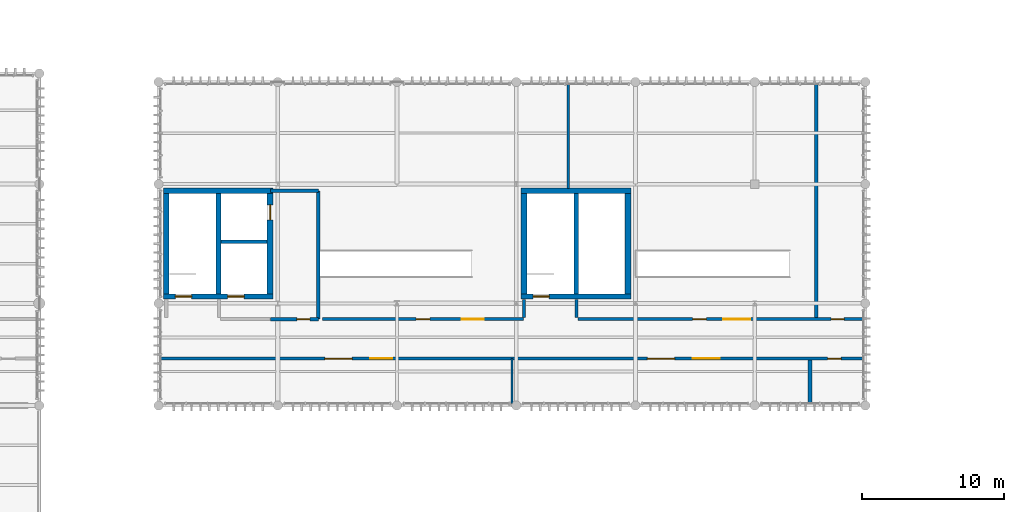
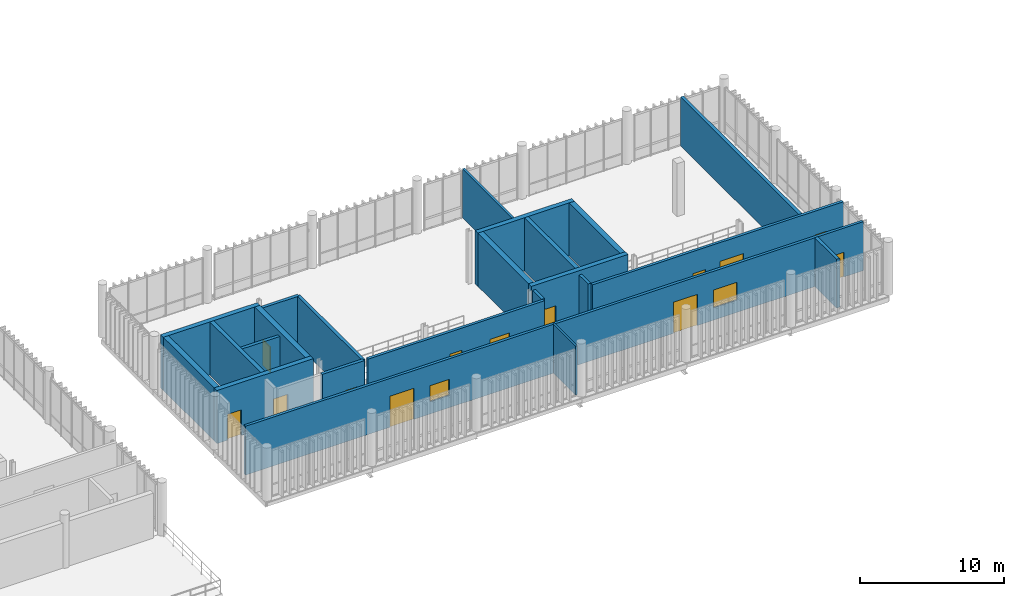
# One storey, part 57 of 66: 23 walls, 11 doors, 4 windows, 15 openings.
"""IFC4 building model written with IfcOpenShell, lengths in metres."""

from ifc_helpers import new_model, si_unit, direction, frame, frame_2d, origin_with_axes, place, context, subcontext, project, spatial, rectangle, extrude, material, layer, layer_set, type_object, element, fill, save


model = new_model("IFC4")

# Units and contexts
model_context = context("Model", 3, precision=1e-05, world=origin_with_axes(), true_north=direction((0.0, 1.0)))
body_context = subcontext(model_context, "Body", "Model", "MODEL_VIEW")
ifc_project = project(units=[si_unit("LENGTHUNIT", "METRE"), si_unit("AREAUNIT", "SQUARE_METRE"), si_unit("VOLUMEUNIT", "CUBIC_METRE"), si_unit("PLANEANGLEUNIT", "RADIAN"), si_unit("MASSUNIT", "GRAM", prefix="KILO"), si_unit("THERMODYNAMICTEMPERATUREUNIT", "KELVIN")], contexts=[model_context])

# Site, building, storey
site_placement = place(None, origin_with_axes())
site = spatial("IfcSite", under=ifc_project, at=site_placement, CompositionType="ELEMENT")
building_placement = place(site_placement, origin_with_axes())
building = spatial("IfcBuilding", under=site, at=building_placement, Name="Montbau Bow Law Courts", CompositionType="ELEMENT")
storey_placement = place(building_placement, frame((0.0, 0.0, 34.5), z_axis=(0.0, 0.0, 1.0), x_axis=(1.0, 0.0, 0.0)))
storey = spatial("IfcBuildingStorey", under=building, at=storey_placement, Name="L07", CompositionType="ELEMENT", Elevation=34.5)

# Wall, opening, door
ifc_material_1 = material(Name="Concrete CSA A23.1 f'c 45 MPa", Category="concrete")
ifc_layer_1 = layer(ifc_material_1, 0.42, Name="Shear Wall", Category="concrete")
ifc_layer_set_1 = layer_set([ifc_layer_1], Name="Concrete CSA A23.1 f'c 45 MPa")
wall_type_1 = type_object("IfcWallType", Name="W-COR-03", PredefinedType="SHEAR", material=ifc_layer_set_1)
wall_1_placement = place(None, frame((63.06, 46.87, 34.5), z_axis=(0.0, 0.0, 1.0), x_axis=(0.0, 1.0, 0.0)))
wall_1 = element("IfcWall", 1, at=wall_1_placement, inside=storey, type_object=wall_type_1, Name="WC-L07-0207:wal_0274", PredefinedType="SHEAR", context=body_context, shape_type="SweptSolid", body=[
    extrude(rectangle(XDim=7.060000000000002, YDim=0.42, at=frame_2d((3.53, 0.0), x_axis=(1.0, 0.0))), origin_with_axes(), (0.0, 0.0, 1.0), 4.5),
])
opening_1_placement = place(None, frame((63.06, 52.61, 34.5), z_axis=(0.0, 0.0, 1.0), x_axis=(0.0, 1.0, 0.0)))
opening_1 = element("IfcOpeningElement", 2, at=opening_1_placement, cuts=wall_1, Name="OP-LD-L07-EL-J3", PredefinedType="OPENING", context=body_context, shape_type="SweptSolid", body=[
    extrude(rectangle(XDim=1.06, YDim=2.16, at=frame_2d((0.0, 1.08), x_axis=(1.0, 0.0))), frame((0.0, 0.22, 0.0), z_axis=(0.0, -1.0, 0.0), x_axis=(1.0, 0.0, 0.0)), (0.0, 0.0, 1.0), 0.44),
])
ifc_material_2 = material(Name="Bronze-Clad Judicial Elevator Landing Door", Category="steel")
door_type_1 = type_object("IfcDoorType", Name="LD-JUD-01", OperationType="NOTDEFINED", ParameterTakesPrecedence=False, PredefinedType="DOOR", material=ifc_material_2)
door_1_placement = place(None, frame((63.06, 52.61, 34.5), z_axis=(0.0, 0.0, 1.0), x_axis=(0.0, 1.0, 0.0)))
door_1 = element("IfcDoor", 3, at=door_1_placement, inside=storey, type_object=door_type_1, Name="LD-L07-EL-J3:dor_0123", OperationType="SLIDING_TO_LEFT", OverallHeight=2.16, OverallWidth=1.06, PredefinedType="DOOR", context=body_context, shape_type="SweptSolid", body=[
    extrude(rectangle(XDim=1.06, YDim=2.16, at=frame_2d((0.0, 1.08), x_axis=(1.0, 0.0))), frame((0.0, 0.04, 0.0), z_axis=(0.0, -1.0, 0.0), x_axis=(1.0, 0.0, 0.0)), (0.0, 0.0, 1.0), 0.08),
])
fill(opening_1, door_1)

# Walls
for number, where, z_axis, x_axis, name in (
    (4, (55.74, 53.93, 34.5), (0.0, 0.0, 1.0), (0.0, -1.0, 0.0), "WC-L07-0208:wal_0275"),
    (5, (88.26, 46.87, 34.5), (0.0, 0.0, 1.0), (0.0, 1.0, 0.0), "WC-L07-0256:wal_0323"),
    (6, (80.94, 53.93, 34.5), (0.0, 0.0, 1.0), (0.0, -1.0, 0.0), "WC-L07-0257:wal_0324"),
):
    element("IfcWall", number, at=place(None, frame(where, z_axis=z_axis, x_axis=x_axis)), inside=storey, type_object=wall_type_1, Name=name, PredefinedType="SHEAR", context=body_context, shape_type="SweptSolid", body=[
        extrude(rectangle(XDim=7.060000000000002, YDim=0.42, at=frame_2d((3.53, 0.0), x_axis=(1.0, 0.0))), origin_with_axes(), (0.0, 0.0, 1.0), 4.5),
    ])

# Wall, openings, doors
ifc_layer_2 = layer(ifc_material_1, 0.38, Name="Shear Wall", Category="concrete")
ifc_layer_set_2 = layer_set([ifc_layer_2], Name="Concrete CSA A23.1 f'c 45 MPa")
wall_type_2 = type_object("IfcWallType", Name="W-COR-04", PredefinedType="SHEAR", material=ifc_layer_set_2)
wall_2_placement = place(None, frame((55.53, 46.68, 34.5), z_axis=(0.0, 0.0, 1.0), x_axis=(1.0, 0.0, 0.0)))
wall_2 = element("IfcWall", 7, at=wall_2_placement, inside=storey, type_object=wall_type_2, Name="WC-L07-0205:wal_0272", PredefinedType="SHEAR", context=body_context, shape_type="SweptSolid", body=[
    extrude(rectangle(XDim=7.740000000000002, YDim=0.38, at=frame_2d((3.87, 0.0), x_axis=(1.0, 0.0))), origin_with_axes(), (0.0, 0.0, 1.0), 4.5),
])
opening_2_placement = place(None, frame((56.95, 46.68, 34.5), z_axis=(0.0, 0.0, 1.0), x_axis=(1.0, 0.0, 0.0)))
opening_2 = element("IfcOpeningElement", 8, at=opening_2_placement, cuts=wall_2, Name="OP-D-L07-ST-P4", PredefinedType="OPENING", context=body_context, shape_type="SweptSolid", body=[
    extrude(rectangle(XDim=1.14, YDim=2.18, at=frame_2d((0.0, 1.09), x_axis=(1.0, 0.0))), frame((0.0, 0.2, 0.0), z_axis=(0.0, -1.0, 0.0), x_axis=(1.0, 0.0, 0.0)), (0.0, 0.0, 1.0), 0.4),
])
opening_3_placement = place(None, frame((60.65, 46.68, 34.5), z_axis=(0.0, 0.0, 1.0), x_axis=(1.0, 0.0, 0.0)))
opening_3 = element("IfcOpeningElement", 9, at=opening_3_placement, cuts=wall_2, Name="OP-LD-L07-EL-P3", PredefinedType="OPENING", context=body_context, shape_type="SweptSolid", body=[
    extrude(rectangle(XDim=1.16, YDim=2.2, at=frame_2d((0.0, 1.1), x_axis=(1.0, 0.0))), frame((0.0, 0.2, 0.0), z_axis=(0.0, -1.0, 0.0), x_axis=(1.0, 0.0, 0.0)), (0.0, 0.0, 1.0), 0.4),
])
ifc_material_3 = material(Name="1.5 h Fire-Rated Hollow-Metal Exit Stair Door", Category="steel")
door_type_2 = type_object("IfcDoorType", Name="D-ST-01", OperationType="NOTDEFINED", ParameterTakesPrecedence=False, PredefinedType="DOOR", material=ifc_material_3)
door_2_placement = place(None, frame((56.95, 46.68, 34.5), z_axis=(0.0, 0.0, 1.0), x_axis=(-1.0, 0.0, 0.0)))
door_2 = element("IfcDoor", 10, at=door_2_placement, inside=storey, type_object=door_type_2, Name="D-L07-ST-P4:dor_0121", OperationType="SINGLE_SWING_RIGHT", OverallHeight=2.18, OverallWidth=1.14, PredefinedType="DOOR", context=body_context, shape_type="SweptSolid", body=[
    extrude(rectangle(XDim=1.14, YDim=2.18, at=frame_2d((0.0, 1.09), x_axis=(1.0, 0.0))), frame((0.0, 0.04, 0.0), z_axis=(0.0, -1.0, 0.0), x_axis=(1.0, 0.0, 0.0)), (0.0, 0.0, 1.0), 0.08),
])
fill(opening_2, door_2)
ifc_material_4 = material(Name="Brushed Stainless Steel Elevator Landing Door", Category="steel")
door_type_3 = type_object("IfcDoorType", Name="LD-PUB-01", OperationType="NOTDEFINED", ParameterTakesPrecedence=False, PredefinedType="DOOR", material=ifc_material_4)
door_3_placement = place(None, frame((60.65, 46.68, 34.5), z_axis=(0.0, 0.0, 1.0), x_axis=(-1.0, 0.0, 0.0)))
door_3 = element("IfcDoor", 11, at=door_3_placement, inside=storey, type_object=door_type_3, Name="LD-L07-EL-P3:dor_0122", OperationType="SLIDING_TO_LEFT", OverallHeight=2.2, OverallWidth=1.16, PredefinedType="DOOR", context=body_context, shape_type="SweptSolid", body=[
    extrude(rectangle(XDim=1.16, YDim=2.2, at=frame_2d((0.0, 1.1), x_axis=(1.0, 0.0))), frame((0.0, 0.04, 0.0), z_axis=(0.0, -1.0, 0.0), x_axis=(1.0, 0.0, 0.0)), (0.0, 0.0, 1.0), 0.08),
])
fill(opening_3, door_3)

# Wall
wall_3_placement = place(None, frame((63.27, 54.12, 34.5), z_axis=(0.0, 0.0, 1.0), x_axis=(-1.0, 0.0, 0.0)))
element("IfcWall", 12, at=wall_3_placement, inside=storey, type_object=wall_type_2, Name="WC-L07-0206:wal_0273", PredefinedType="SHEAR", context=body_context, shape_type="SweptSolid", body=[
    extrude(rectangle(XDim=7.740000000000002, YDim=0.38, at=frame_2d((3.87, 0.0), x_axis=(1.0, 0.0))), origin_with_axes(), (0.0, 0.0, 1.0), 4.5),
])

# Wall, opening, door
wall_4_placement = place(None, frame((80.73, 46.68, 34.5), z_axis=(0.0, 0.0, 1.0), x_axis=(1.0, 0.0, 0.0)))
wall_4 = element("IfcWall", 13, at=wall_4_placement, inside=storey, type_object=wall_type_2, Name="WC-L07-0254:wal_0321", PredefinedType="SHEAR", context=body_context, shape_type="SweptSolid", body=[
    extrude(rectangle(XDim=7.739999999999995, YDim=0.38, at=frame_2d((3.87, 0.0), x_axis=(1.0, 0.0))), origin_with_axes(), (0.0, 0.0, 1.0), 4.5),
])
opening_4_placement = place(None, frame((82.15, 46.68, 34.5), z_axis=(0.0, 0.0, 1.0), x_axis=(1.0, 0.0, 0.0)))
opening_4 = element("IfcOpeningElement", 14, at=opening_4_placement, cuts=wall_4, Name="OP-D-L07-ST-P3", PredefinedType="OPENING", context=body_context, shape_type="SweptSolid", body=[
    extrude(rectangle(XDim=1.14, YDim=2.18, at=frame_2d((0.0, 1.09), x_axis=(1.0, 0.0))), frame((0.0, 0.2, 0.0), z_axis=(0.0, -1.0, 0.0), x_axis=(1.0, 0.0, 0.0)), (0.0, 0.0, 1.0), 0.4),
])
door_4_placement = place(None, frame((82.15, 46.68, 34.5), z_axis=(0.0, 0.0, 1.0), x_axis=(-1.0, 0.0, 0.0)))
door_4 = element("IfcDoor", 15, at=door_4_placement, inside=storey, type_object=door_type_2, Name="D-L07-ST-P3:dor_0133", OperationType="SINGLE_SWING_LEFT", OverallHeight=2.18, OverallWidth=1.14, PredefinedType="DOOR", context=body_context, shape_type="SweptSolid", body=[
    extrude(rectangle(XDim=1.14, YDim=2.18, at=frame_2d((0.0, 1.09), x_axis=(1.0, 0.0))), frame((0.0, 0.04, 0.0), z_axis=(0.0, -1.0, 0.0), x_axis=(1.0, 0.0, 0.0)), (0.0, 0.0, 1.0), 0.08),
])
fill(opening_4, door_4)

# Walls
wall_5_placement = place(None, frame((88.47, 54.12, 34.5), z_axis=(0.0, 0.0, 1.0), x_axis=(-1.0, 0.0, 0.0)))
element("IfcWall", 16, at=wall_5_placement, inside=storey, type_object=wall_type_2, Name="WC-L07-0255:wal_0322", PredefinedType="SHEAR", context=body_context, shape_type="SweptSolid", body=[
    extrude(rectangle(XDim=7.739999999999995, YDim=0.38, at=frame_2d((3.87, 0.0), x_axis=(1.0, 0.0))), origin_with_axes(), (0.0, 0.0, 1.0), 4.5),
])
ifc_layer_3 = layer(ifc_material_1, 0.32, Name="Shear Wall", Category="concrete")
ifc_layer_set_3 = layer_set([ifc_layer_3], Name="Concrete CSA A23.1 f'c 45 MPa")
wall_type_3 = type_object("IfcWallType", Name="W-COR-05", PredefinedType="SHEAR", material=ifc_layer_set_3)
for number, where, z_axis, x_axis, name in (
    (17, (59.42, 46.87, 34.5), (0.0, 0.0, 1.0), (0.0, 1.0, 0.0), "WS-L07-0209:wal_0276"),
    (18, (84.62, 46.87, 34.5), (0.0, 0.0, 1.0), (0.0, 1.0, 0.0), "WS-L07-0258:wal_0325"),
):
    element("IfcWall", number, at=place(None, frame(where, z_axis=z_axis, x_axis=x_axis)), inside=storey, type_object=wall_type_3, Name=name, PredefinedType="SHEAR", context=body_context, shape_type="SweptSolid", body=[
        extrude(rectangle(XDim=7.060000000000002, YDim=0.32, at=frame_2d((3.53, 0.0), x_axis=(1.0, 0.0))), origin_with_axes(), (0.0, 0.0, 1.0), 4.5),
    ])
ifc_material_5 = material(Name="Double-Stud Acoustic Plumbing Chase Gypsum Assembly", Category="gypsum")
ifc_layer_4 = layer(ifc_material_5, 0.26, Name="Plumbing Wall", Category="gypsum")
ifc_layer_set_4 = layer_set([ifc_layer_4], Name="Double-Stud Acoustic Plumbing Chase Gypsum Assembly")
wall_type_4 = type_object("IfcWallType", Name="W-PLM-01", PredefinedType="PLUMBINGWALL", material=ifc_layer_set_4)
wall_6_placement = place(None, frame((101.54, 45.19, 34.5), z_axis=(0.0, 0.0, 1.0), x_axis=(0.0, 1.0, 0.0)))
element("IfcWall", 19, at=wall_6_placement, inside=storey, type_object=wall_type_4, Name="WD-L07-0928:wal_0995", PredefinedType="PLUMBINGWALL", context=body_context, shape_type="SweptSolid", body=[
    extrude(rectangle(XDim=16.43, YDim=0.26, at=frame_2d((8.215, 0.0), x_axis=(1.0, 0.0))), origin_with_axes(), (0.0, 0.0, 1.0), 4.14),
])
wall_7_placement = place(None, frame((101.09, 39.18, 34.5), z_axis=(0.0, 0.0, 1.0), x_axis=(0.0, 1.0, 0.0)))
element("IfcWall", 20, at=wall_7_placement, inside=storey, type_object=wall_type_4, Name="WD-L07-0929:wal_0996", PredefinedType="PLUMBINGWALL", context=body_context, shape_type="SweptSolid", body=[
    extrude(rectangle(XDim=3.030000000000001, YDim=0.26, at=frame_2d((1.515, 0.0), x_axis=(1.0, 0.0))), origin_with_axes(), (0.0, 0.0, 1.0), 4.14),
])
ifc_material_6 = material(Name="2 h Shaft and Exit-Passage Fire Separation Partition", Category="gypsum")
ifc_layer_5 = layer(ifc_material_6, 0.25, Name="Partition", Category="gypsum")
ifc_layer_set_5 = layer_set([ifc_layer_5], Name="2 h Shaft and Exit-Passage Fire Separation Partition")
wall_type_5 = type_object("IfcWallType", Name="W-PRT-01", PredefinedType="PARTITIONING", material=ifc_layer_set_5)
wall_8_placement = place(None, frame((59.58, 50.549, 34.5), z_axis=(0.0, 0.0, 1.0), x_axis=(1.0, 0.0, 0.0)))
element("IfcWall", 21, at=wall_8_placement, inside=storey, type_object=wall_type_5, Name="WS-L07-0210:wal_0277", PredefinedType="PARTITIONING", context=body_context, shape_type="SweptSolid", body=[
    extrude(rectangle(XDim=3.270000000000003, YDim=0.25, at=frame_2d((1.635, 0.0), x_axis=(1.0, 0.0))), origin_with_axes(), (0.0, 0.0, 1.0), 4.14),
])
wall_9_placement = place(None, frame((66.46, 45.09, 34.5), z_axis=(0.0, 0.0, 1.0), x_axis=(0.0, 1.0, 0.0)))
element("IfcWall", 22, at=wall_9_placement, inside=storey, type_object=wall_type_5, Name="WEL-L07-0211:wal_0278", PredefinedType="PARTITIONING", context=body_context, shape_type="SweptSolid", body=[
    extrude(rectangle(XDim=9.029999999999994, YDim=0.25, at=frame_2d((4.515, 0.0), x_axis=(1.0, 0.0))), origin_with_axes(), (0.0, 0.0, 1.0), 4.14),
])
wall_10_placement = place(None, frame((63.1, 54.12, 34.5), z_axis=(0.0, 0.0, 1.0), x_axis=(1.0, 0.0, 0.0)))
element("IfcWall", 23, at=wall_10_placement, inside=storey, type_object=wall_type_5, Name="WEL-L07-0212:wal_0279", PredefinedType="PARTITIONING", context=body_context, shape_type="SweptSolid", body=[
    extrude(rectangle(XDim=3.3599999999999923, YDim=0.25, at=frame_2d((1.68, 0.0), x_axis=(1.0, 0.0))), origin_with_axes(), (0.0, 0.0, 1.0), 4.14),
])

# Wall, opening, door
wall_11_placement = place(None, frame((63.1, 45.09, 34.5), z_axis=(0.0, 0.0, 1.0), x_axis=(1.0, 0.0, 0.0)))
wall_11 = element("IfcWall", 24, at=wall_11_placement, inside=storey, type_object=wall_type_5, Name="WEL-L07-0213:wal_0280", PredefinedType="PARTITIONING", context=body_context, shape_type="SweptSolid", body=[
    extrude(rectangle(XDim=3.3599999999999923, YDim=0.25, at=frame_2d((1.68, 0.0), x_axis=(1.0, 0.0))), origin_with_axes(), (0.0, 0.0, 1.0), 4.14),
])
opening_5_placement = place(None, frame((65.405, 45.09, 34.5), z_axis=(0.0, 0.0, 1.0), x_axis=(1.0, 0.0, 0.0)))
opening_5 = element("IfcOpeningElement", 25, at=opening_5_placement, cuts=wall_11, Name="OP-D-L07-ELB-CORE-C1", PredefinedType="OPENING", context=body_context, shape_type="SweptSolid", body=[
    extrude(rectangle(XDim=0.91, YDim=2.12, at=frame_2d((0.0, 1.06), x_axis=(1.0, 0.0))), frame((0.0, 0.135, 0.0), z_axis=(0.0, -1.0, 0.0), x_axis=(1.0, 0.0, 0.0)), (0.0, 0.0, 1.0), 0.27),
])
ifc_material_7 = material(Name="Public and Judicial Washroom Solid-Core Door", Category="wood")
door_type_4 = type_object("IfcDoorType", Name="D-WC-02", OperationType="NOTDEFINED", ParameterTakesPrecedence=False, PredefinedType="DOOR", material=ifc_material_7)
door_5_placement = place(None, frame((65.405, 45.09, 34.5), z_axis=(0.0, 0.0, 1.0), x_axis=(1.0, 0.0, 0.0)))
door_5 = element("IfcDoor", 26, at=door_5_placement, inside=storey, type_object=door_type_4, Name="D-L07-ELB-CORE-C1:dor_0124", OperationType="SINGLE_SWING_LEFT", OverallHeight=2.12, OverallWidth=0.91, PredefinedType="DOOR", context=body_context, shape_type="SweptSolid", body=[
    extrude(rectangle(XDim=0.91, YDim=2.12, at=frame_2d((0.0, 1.06), x_axis=(1.0, 0.0))), frame((0.0, 0.04, 0.0), z_axis=(0.0, -1.0, 0.0), x_axis=(1.0, 0.0, 0.0)), (0.0, 0.0, 1.0), 0.08),
])
fill(opening_5, door_5)

# Walls
ifc_material_8 = material(Name="STC-60 High-Acoustic Courtroom Perimeter Partition", Category="gypsum")
ifc_layer_6 = layer(ifc_material_8, 0.22, Name="Partition", Category="gypsum")
ifc_layer_set_6 = layer_set([ifc_layer_6], Name="STC-60 High-Acoustic Courtroom Perimeter Partition")
wall_type_6 = type_object("IfcWallType", Name="W-PRT-02", PredefinedType="PARTITIONING", material=ifc_layer_set_6)
for number, where, z_axis, x_axis, name in (
    (27, (80.94, 45.22, 34.5), (0.0, 0.0, 1.0), (0.0, 1.0, 0.0), "WCX-L07-0922:wal_0989"),
    (28, (84.65, 45.22, 34.5), (0.0, 0.0, 1.0), (0.0, 1.0, 0.0), "WCX-L07-0923:wal_0990"),
):
    element("IfcWall", number, at=place(None, frame(where, z_axis=z_axis, x_axis=x_axis)), inside=storey, type_object=wall_type_6, Name=name, PredefinedType="PARTITIONING", context=body_context, shape_type="SweptSolid", body=[
        extrude(rectangle(XDim=1.259999999999998, YDim=0.22, at=frame_2d((0.63, 0.0), x_axis=(1.0, 0.0))), origin_with_axes(), (0.0, 0.0, 1.0), 4.14),
    ])

# Wall, openings, door, window
wall_12_placement = place(None, frame((66.755, 45.09, 34.5), z_axis=(0.0, 0.0, 1.0), x_axis=(1.0, 0.0, 0.0)))
wall_12 = element("IfcWall", 29, at=wall_12_placement, inside=storey, type_object=wall_type_6, Name="WP-L07-0925:wal_0992", PredefinedType="PARTITIONING", context=body_context, shape_type="SweptSolid", body=[
    extrude(rectangle(XDim=14.14500000000001, YDim=0.22, at=frame_2d((7.0725, 0.0), x_axis=(1.0, 0.0))), origin_with_axes(), (0.0, 0.0, 1.0), 4.14),
])
opening_6_placement = place(None, frame((73.828, 45.09, 34.5), z_axis=(0.0, 0.0, 1.0), x_axis=(1.0, 0.0, 0.0)))
opening_6 = element("IfcOpeningElement", 30, at=opening_6_placement, cuts=wall_12, Name="OP-D-L07-394", PredefinedType="OPENING", context=body_context, shape_type="SweptSolid", body=[
    extrude(rectangle(XDim=0.97, YDim=2.26, at=frame_2d((0.0, 1.13), x_axis=(1.0, 0.0))), frame((0.0, 0.12, 0.0), z_axis=(0.0, -1.0, 0.0), x_axis=(1.0, 0.0, 0.0)), (0.0, 0.0, 1.0), 0.24),
])
opening_7_placement = place(None, frame((77.318, 45.09, 35.55), z_axis=(0.0, 0.0, 1.0), x_axis=(1.0, 0.0, 0.0)))
opening_7 = element("IfcOpeningElement", 31, at=opening_7_placement, cuts=wall_12, Name="OP-WI-L07-18", PredefinedType="OPENING", context=body_context, shape_type="SweptSolid", body=[
    extrude(rectangle(XDim=1.55, YDim=1.35, at=frame_2d((0.0, 0.675), x_axis=(1.0, 0.0))), frame((0.0, 0.12, 0.0), z_axis=(0.0, -1.0, 0.0), x_axis=(1.0, 0.0, 0.0)), (0.0, 0.0, 1.0), 0.24),
])
ifc_material_9 = material(Name="Legal Stacks and Rare-Book Room Oak Door", Category="wood")
door_type_5 = type_object("IfcDoorType", Name="D-LIB-02", OperationType="NOTDEFINED", ParameterTakesPrecedence=False, PredefinedType="DOOR", material=ifc_material_9)
door_6_placement = place(None, frame((73.828, 45.09, 34.5), z_axis=(0.0, 0.0, 1.0), x_axis=(-1.0, 0.0, 0.0)))
door_6 = element("IfcDoor", 32, at=door_6_placement, inside=storey, type_object=door_type_5, Name="D-L07-394:dor_0429", OperationType="SINGLE_SWING_RIGHT", OverallHeight=2.26, OverallWidth=0.97, PredefinedType="DOOR", context=body_context, shape_type="SweptSolid", body=[
    extrude(rectangle(XDim=0.97, YDim=2.26, at=frame_2d((0.0, 1.13), x_axis=(1.0, 0.0))), frame((0.0, 0.04, 0.0), z_axis=(0.0, -1.0, 0.0), x_axis=(1.0, 0.0, 0.0)), (0.0, 0.0, 1.0), 0.08),
])
fill(opening_6, door_6)
ifc_material_10 = material(Name="Registry Counter Security Pass-Through Glazing", Category="glass")
window_type_1 = type_object("IfcWindowType", Name="WN-INT-02", ParameterTakesPrecedence=False, PartitioningType="SINGLE_PANEL", PredefinedType="WINDOW", material=ifc_material_10)
window_1_placement = place(None, frame((77.318, 45.09, 35.55), z_axis=(0.0, 0.0, 1.0), x_axis=(1.0, 0.0, 0.0)))
window_1 = element("IfcWindow", 33, at=window_1_placement, inside=storey, type_object=window_type_1, Name="WI-L07-18:win_0140", OverallHeight=1.35, OverallWidth=1.55, PartitioningType="SINGLE_PANEL", PredefinedType="WINDOW", context=body_context, shape_type="SweptSolid", body=[
    extrude(rectangle(XDim=1.55, YDim=1.35, at=frame_2d((0.0, 0.675), x_axis=(1.0, 0.0))), frame((0.0, 0.03, 0.0), z_axis=(0.0, -1.0, 0.0), x_axis=(1.0, 0.0, 0.0)), (0.0, 0.0, 1.0), 0.06),
])
fill(opening_7, window_1)

# Wall, openings, doors, window
wall_13_placement = place(None, frame((84.75, 45.09, 34.5), z_axis=(0.0, 0.0, 1.0), x_axis=(1.0, 0.0, 0.0)))
wall_13 = element("IfcWall", 34, at=wall_13_placement, inside=storey, type_object=wall_type_6, Name="WP-L07-0926:wal_0993", PredefinedType="PARTITIONING", context=body_context, shape_type="SweptSolid", body=[
    extrude(rectangle(XDim=20.11, YDim=0.22, at=frame_2d((10.055, 0.0), x_axis=(1.0, 0.0))), origin_with_axes(), (0.0, 0.0, 1.0), 4.14),
])
opening_8_placement = place(None, frame((93.307, 45.09, 34.5), z_axis=(0.0, 0.0, 1.0), x_axis=(1.0, 0.0, 0.0)))
opening_8 = element("IfcOpeningElement", 35, at=opening_8_placement, cuts=wall_13, Name="OP-D-L07-395", PredefinedType="OPENING", context=body_context, shape_type="SweptSolid", body=[
    extrude(rectangle(XDim=0.97, YDim=2.26, at=frame_2d((0.0, 1.13), x_axis=(1.0, 0.0))), frame((0.0, 0.12, 0.0), z_axis=(0.0, -1.0, 0.0), x_axis=(1.0, 0.0, 0.0)), (0.0, 0.0, 1.0), 0.24),
])
opening_9_placement = place(None, frame((103.038, 45.09, 34.5), z_axis=(0.0, 0.0, 1.0), x_axis=(1.0, 0.0, 0.0)))
opening_9 = element("IfcOpeningElement", 36, at=opening_9_placement, cuts=wall_13, Name="OP-D-L07-396", PredefinedType="OPENING", context=body_context, shape_type="SweptSolid", body=[
    extrude(rectangle(XDim=0.91, YDim=2.12, at=frame_2d((0.0, 1.06), x_axis=(1.0, 0.0))), frame((0.0, 0.12, 0.0), z_axis=(0.0, -1.0, 0.0), x_axis=(1.0, 0.0, 0.0)), (0.0, 0.0, 1.0), 0.24),
])
opening_10_placement = place(None, frame((95.922, 45.09, 35.55), z_axis=(0.0, 0.0, 1.0), x_axis=(1.0, 0.0, 0.0)))
opening_10 = element("IfcOpeningElement", 37, at=opening_10_placement, cuts=wall_13, Name="OP-WI-L07-19", PredefinedType="OPENING", context=body_context, shape_type="SweptSolid", body=[
    extrude(rectangle(XDim=1.9, YDim=1.5, at=frame_2d((0.0, 0.75), x_axis=(1.0, 0.0))), frame((0.0, 0.12, 0.0), z_axis=(0.0, -1.0, 0.0), x_axis=(1.0, 0.0, 0.0)), (0.0, 0.0, 1.0), 0.24),
])
door_7_placement = place(None, frame((93.307, 45.09, 34.5), z_axis=(0.0, 0.0, 1.0), x_axis=(-1.0, 0.0, 0.0)))
door_7 = element("IfcDoor", 38, at=door_7_placement, inside=storey, type_object=door_type_5, Name="D-L07-395:dor_0430", OperationType="SINGLE_SWING_LEFT", OverallHeight=2.26, OverallWidth=0.97, PredefinedType="DOOR", context=body_context, shape_type="SweptSolid", body=[
    extrude(rectangle(XDim=0.97, YDim=2.26, at=frame_2d((0.0, 1.13), x_axis=(1.0, 0.0))), frame((0.0, 0.04, 0.0), z_axis=(0.0, -1.0, 0.0), x_axis=(1.0, 0.0, 0.0)), (0.0, 0.0, 1.0), 0.08),
])
fill(opening_8, door_7)
door_8_placement = place(None, frame((103.038, 45.09, 34.5), z_axis=(0.0, 0.0, 1.0), x_axis=(-1.0, 0.0, 0.0)))
door_8 = element("IfcDoor", 39, at=door_8_placement, inside=storey, type_object=door_type_4, Name="D-L07-396:dor_0431", OperationType="SINGLE_SWING_RIGHT", OverallHeight=2.12, OverallWidth=0.91, PredefinedType="DOOR", context=body_context, shape_type="SweptSolid", body=[
    extrude(rectangle(XDim=0.91, YDim=2.12, at=frame_2d((0.0, 1.06), x_axis=(1.0, 0.0))), frame((0.0, 0.04, 0.0), z_axis=(0.0, -1.0, 0.0), x_axis=(1.0, 0.0, 0.0)), (0.0, 0.0, 1.0), 0.08),
])
fill(opening_9, door_8)
ifc_material_11 = material(Name="Fire-Rated Acoustic Borrowed-Light Interior Glazing", Category="glass")
window_type_2 = type_object("IfcWindowType", Name="WN-INT-01", ParameterTakesPrecedence=False, PartitioningType="SINGLE_PANEL", PredefinedType="WINDOW", material=ifc_material_11)
window_2_placement = place(None, frame((95.922, 45.09, 35.55), z_axis=(0.0, 0.0, 1.0), x_axis=(1.0, 0.0, 0.0)))
window_2 = element("IfcWindow", 40, at=window_2_placement, inside=storey, type_object=window_type_2, Name="WI-L07-19:win_0141", OverallHeight=1.5, OverallWidth=1.9, PartitioningType="SINGLE_PANEL", PredefinedType="WINDOW", context=body_context, shape_type="SweptSolid", body=[
    extrude(rectangle(XDim=1.9, YDim=1.5, at=frame_2d((0.0, 0.75), x_axis=(1.0, 0.0))), frame((0.0, 0.03, 0.0), z_axis=(0.0, -1.0, 0.0), x_axis=(1.0, 0.0, 0.0)), (0.0, 0.0, 1.0), 0.06),
])
fill(opening_10, window_2)

# Wall, openings, doors, windows
wall_14_placement = place(None, frame((55.34, 42.31, 34.5), z_axis=(0.0, 0.0, 1.0), x_axis=(1.0, 0.0, 0.0)))
wall_14 = element("IfcWall", 41, at=wall_14_placement, inside=storey, type_object=wall_type_6, Name="WP-L07-0927:wal_0994", PredefinedType="PARTITIONING", context=body_context, shape_type="SweptSolid", body=[
    extrude(rectangle(XDim=49.519999999999996, YDim=0.22, at=frame_2d((24.76, 0.0), x_axis=(1.0, 0.0))), origin_with_axes(), (0.0, 0.0, 1.0), 4.14),
])
opening_11_placement = place(None, frame((67.882, 42.31, 34.5), z_axis=(0.0, 0.0, 1.0), x_axis=(1.0, 0.0, 0.0)))
opening_11 = element("IfcOpeningElement", 42, at=opening_11_placement, cuts=wall_14, Name="OP-D-L07-397", PredefinedType="OPENING", context=body_context, shape_type="SweptSolid", body=[
    extrude(rectangle(XDim=1.92, YDim=2.64, at=frame_2d((0.0, 1.32), x_axis=(1.0, 0.0))), frame((0.0, 0.12, 0.0), z_axis=(0.0, -1.0, 0.0), x_axis=(1.0, 0.0, 0.0)), (0.0, 0.0, 1.0), 0.24),
])
opening_12_placement = place(None, frame((90.595, 42.31, 34.5), z_axis=(0.0, 0.0, 1.0), x_axis=(1.0, 0.0, 0.0)))
opening_12 = element("IfcOpeningElement", 43, at=opening_12_placement, cuts=wall_14, Name="OP-D-L07-398", PredefinedType="OPENING", context=body_context, shape_type="SweptSolid", body=[
    extrude(rectangle(XDim=1.92, YDim=2.64, at=frame_2d((0.0, 1.32), x_axis=(1.0, 0.0))), frame((0.0, 0.12, 0.0), z_axis=(0.0, -1.0, 0.0), x_axis=(1.0, 0.0, 0.0)), (0.0, 0.0, 1.0), 0.24),
])
opening_13_placement = place(None, frame((102.813, 42.31, 34.5), z_axis=(0.0, 0.0, 1.0), x_axis=(1.0, 0.0, 0.0)))
opening_13 = element("IfcOpeningElement", 44, at=opening_13_placement, cuts=wall_14, Name="OP-D-L07-399", PredefinedType="OPENING", context=body_context, shape_type="SweptSolid", body=[
    extrude(rectangle(XDim=0.95, YDim=2.1, at=frame_2d((0.0, 1.05), x_axis=(1.0, 0.0))), frame((0.0, 0.12, 0.0), z_axis=(0.0, -1.0, 0.0), x_axis=(1.0, 0.0, 0.0)), (0.0, 0.0, 1.0), 0.24),
])
opening_14_placement = place(None, frame((70.897, 42.31, 35.55), z_axis=(0.0, 0.0, 1.0), x_axis=(1.0, 0.0, 0.0)))
opening_14 = element("IfcOpeningElement", 45, at=opening_14_placement, cuts=wall_14, Name="OP-WI-L07-20", PredefinedType="OPENING", context=body_context, shape_type="SweptSolid", body=[
    extrude(rectangle(XDim=1.55, YDim=1.35, at=frame_2d((0.0, 0.675), x_axis=(1.0, 0.0))), frame((0.0, 0.12, 0.0), z_axis=(0.0, -1.0, 0.0), x_axis=(1.0, 0.0, 0.0)), (0.0, 0.0, 1.0), 0.24),
])
opening_15_placement = place(None, frame((93.785, 42.31, 35.55), z_axis=(0.0, 0.0, 1.0), x_axis=(1.0, 0.0, 0.0)))
opening_15 = element("IfcOpeningElement", 46, at=opening_15_placement, cuts=wall_14, Name="OP-WI-L07-21", PredefinedType="OPENING", context=body_context, shape_type="SweptSolid", body=[
    extrude(rectangle(XDim=1.9, YDim=1.5, at=frame_2d((0.0, 0.75), x_axis=(1.0, 0.0))), frame((0.0, 0.12, 0.0), z_axis=(0.0, -1.0, 0.0), x_axis=(1.0, 0.0, 0.0)), (0.0, 0.0, 1.0), 0.24),
])
ifc_material_12 = material(Name="Law Library Reading Hall Glazed Bronze-Oak Double Door", Category="wood")
door_type_6 = type_object("IfcDoorType", Name="D-LIB-01", OperationType="NOTDEFINED", ParameterTakesPrecedence=False, PredefinedType="DOOR", material=ifc_material_12)
door_9_placement = place(None, frame((67.882, 42.31, 34.5), z_axis=(0.0, 0.0, 1.0), x_axis=(1.0, 0.0, 0.0)))
door_9 = element("IfcDoor", 47, at=door_9_placement, inside=storey, type_object=door_type_6, Name="D-L07-397:dor_0432", OperationType="DOUBLE_DOOR_SINGLE_SWING", OverallHeight=2.64, OverallWidth=1.92, PredefinedType="DOOR", context=body_context, shape_type="SweptSolid", body=[
    extrude(rectangle(XDim=1.92, YDim=2.64, at=frame_2d((0.0, 1.32), x_axis=(1.0, 0.0))), frame((0.0, 0.04, 0.0), z_axis=(0.0, -1.0, 0.0), x_axis=(1.0, 0.0, 0.0)), (0.0, 0.0, 1.0), 0.08),
])
fill(opening_11, door_9)
door_10_placement = place(None, frame((90.595, 42.31, 34.5), z_axis=(0.0, 0.0, 1.0), x_axis=(1.0, 0.0, 0.0)))
door_10 = element("IfcDoor", 48, at=door_10_placement, inside=storey, type_object=door_type_6, Name="D-L07-398:dor_0433", OperationType="DOUBLE_DOOR_SINGLE_SWING", OverallHeight=2.64, OverallWidth=1.92, PredefinedType="DOOR", context=body_context, shape_type="SweptSolid", body=[
    extrude(rectangle(XDim=1.92, YDim=2.64, at=frame_2d((0.0, 1.32), x_axis=(1.0, 0.0))), frame((0.0, 0.04, 0.0), z_axis=(0.0, -1.0, 0.0), x_axis=(1.0, 0.0, 0.0)), (0.0, 0.0, 1.0), 0.08),
])
fill(opening_12, door_10)
ifc_material_13 = material(Name="CSA B651 Universal Barrier-Free Washroom Door", Category="wood")
door_type_7 = type_object("IfcDoorType", Name="D-WC-01", OperationType="NOTDEFINED", ParameterTakesPrecedence=False, PredefinedType="DOOR", material=ifc_material_13)
door_11_placement = place(None, frame((102.813, 42.31, 34.5), z_axis=(0.0, 0.0, 1.0), x_axis=(1.0, 0.0, 0.0)))
door_11 = element("IfcDoor", 49, at=door_11_placement, inside=storey, type_object=door_type_7, Name="D-L07-399:dor_0434", OperationType="SINGLE_SWING_LEFT", OverallHeight=2.1, OverallWidth=0.95, PredefinedType="DOOR", context=body_context, shape_type="SweptSolid", body=[
    extrude(rectangle(XDim=0.95, YDim=2.1, at=frame_2d((0.0, 1.05), x_axis=(1.0, 0.0))), frame((0.0, 0.04, 0.0), z_axis=(0.0, -1.0, 0.0), x_axis=(1.0, 0.0, 0.0)), (0.0, 0.0, 1.0), 0.08),
])
fill(opening_13, door_11)
window_3_placement = place(None, frame((93.785, 42.31, 35.55), z_axis=(0.0, 0.0, 1.0), x_axis=(1.0, 0.0, 0.0)))
window_3 = element("IfcWindow", 50, at=window_3_placement, inside=storey, type_object=window_type_2, Name="WI-L07-21:win_0143", OverallHeight=1.5, OverallWidth=1.9, PartitioningType="SINGLE_PANEL", PredefinedType="WINDOW", context=body_context, shape_type="SweptSolid", body=[
    extrude(rectangle(XDim=1.9, YDim=1.5, at=frame_2d((0.0, 0.75), x_axis=(1.0, 0.0))), frame((0.0, 0.03, 0.0), z_axis=(0.0, -1.0, 0.0), x_axis=(1.0, 0.0, 0.0)), (0.0, 0.0, 1.0), 0.06),
])
fill(opening_15, window_3)
window_4_placement = place(None, frame((70.897, 42.31, 35.55), z_axis=(0.0, 0.0, 1.0), x_axis=(1.0, 0.0, 0.0)))
window_4 = element("IfcWindow", 51, at=window_4_placement, inside=storey, type_object=window_type_1, Name="WI-L07-20:win_0142", OverallHeight=1.35, OverallWidth=1.55, PartitioningType="SINGLE_PANEL", PredefinedType="WINDOW", context=body_context, shape_type="SweptSolid", body=[
    extrude(rectangle(XDim=1.55, YDim=1.35, at=frame_2d((0.0, 0.675), x_axis=(1.0, 0.0))), frame((0.0, 0.03, 0.0), z_axis=(0.0, -1.0, 0.0), x_axis=(1.0, 0.0, 0.0)), (0.0, 0.0, 1.0), 0.06),
])
fill(opening_14, window_4)

# Walls
ifc_material_14 = material(Name="1 h Corridor Fire-Rated Gypsum Partition", Category="gypsum")
ifc_layer_7 = layer(ifc_material_14, 0.18, Name="Partition", Category="gypsum")
ifc_layer_set_7 = layer_set([ifc_layer_7], Name="1 h Corridor Fire-Rated Gypsum Partition")
wall_type_7 = type_object("IfcWallType", Name="W-PRT-04", PredefinedType="PARTITIONING", material=ifc_layer_set_7)
wall_15_placement = place(None, frame((84.049, 54.3, 34.5), z_axis=(0.0, 0.0, 1.0), x_axis=(0.0, 1.0, 0.0)))
element("IfcWall", 52, at=wall_15_placement, inside=storey, type_object=wall_type_7, Name="WD-L07-0930:wal_0997", PredefinedType="PARTITIONING", context=body_context, shape_type="SweptSolid", body=[
    extrude(rectangle(XDim=7.359999999999999, YDim=0.18, at=frame_2d((3.68, 0.0), x_axis=(1.0, 0.0))), origin_with_axes(), (0.0, 0.0, 1.0), 4.14),
])
ifc_material_15 = material(Name="STC-52 Judicial Chambers Acoustic Partition", Category="gypsum")
ifc_layer_8 = layer(ifc_material_15, 0.16, Name="Partition", Category="gypsum")
ifc_layer_set_8 = layer_set([ifc_layer_8], Name="STC-52 Judicial Chambers Acoustic Partition")
wall_type_8 = type_object("IfcWallType", Name="W-PRT-05", PredefinedType="PARTITIONING", material=ifc_layer_set_8)
wall_16_placement = place(None, frame((80.1, 39.14, 34.5), z_axis=(0.0, 0.0, 1.0), x_axis=(0.0, 1.0, 0.0)))
element("IfcWall", 53, at=wall_16_placement, inside=storey, type_object=wall_type_8, Name="WD-L07-0931:wal_0998", PredefinedType="PARTITIONING", context=body_context, shape_type="SweptSolid", body=[
    extrude(rectangle(XDim=3.1700000000000017, YDim=0.16, at=frame_2d((1.585, 0.0), x_axis=(1.0, 0.0))), origin_with_axes(), (0.0, 0.0, 1.0), 4.14),
])

save(model, "model.ifc")
